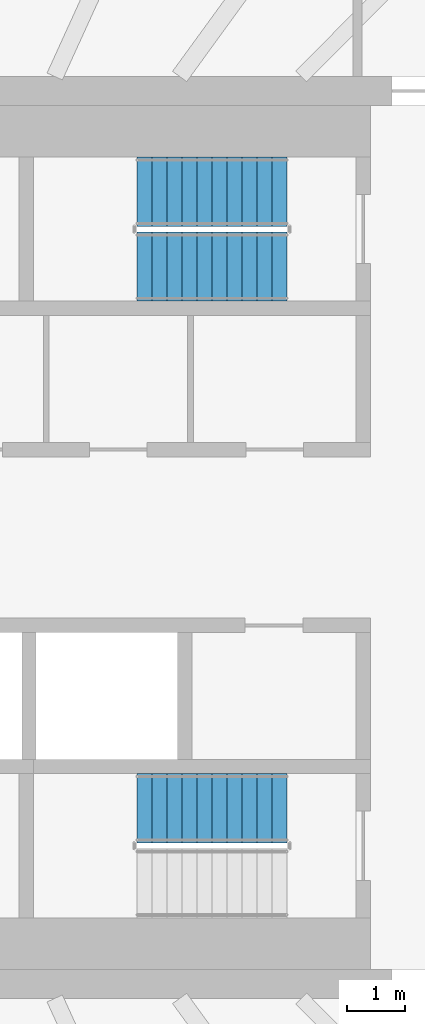
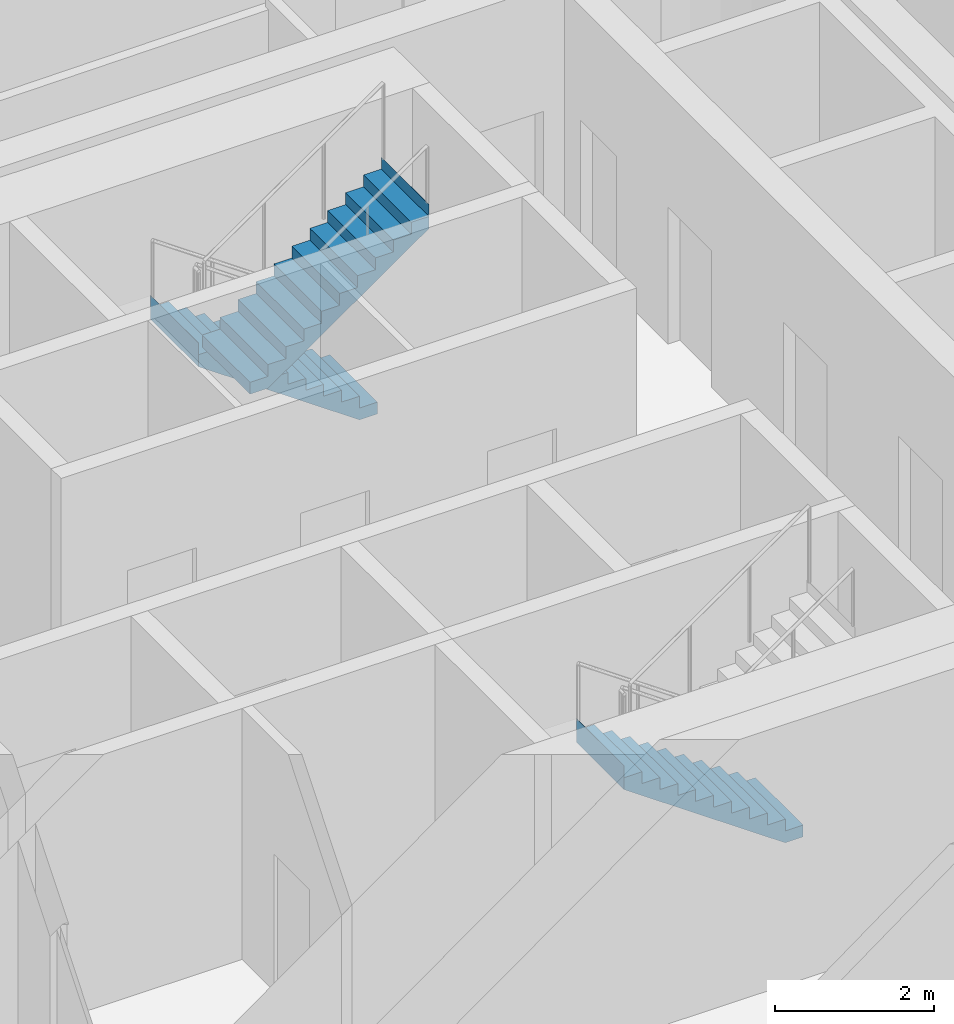
# One storey, part 17 of 23: 3 stair flights, 2 elements without a shape of their own.
"""IFC4 building model written with IfcOpenShell, lengths in metres."""

import ifcopenshell
import ifcopenshell.guid

model = None  # the IFC model being written
_history = None  # IfcOwnerHistory: only IFC2X3 demands one
_inside = {}  # id of a spatial element -> (the spatial element, [elements in it])
_under = {}  # id of a project, library or spatial element -> (it, [spatial elements below it])
_declared = {}  # id of a project -> (the project, [libraries it declares])
_typed = {}  # id of a type object -> (the type object, [elements of that type])
_made_of = {}  # id of a material, layer set ... -> (it, [elements and type objects made of it])


def new_model(schema):
    """Start an empty IFC model of exactly this schema.

    Asked for "IFC4X3", IfcOpenShell would pick the latest addendum, in which some entities
    have other attributes; the version numbers below select the first issue.
    IFC2X3 requires an IfcOwnerHistory on every rooted entity: one is made here for all.
    """
    global model, _history
    if schema == "IFC4X3":
        model = ifcopenshell.file(schema_version=(4, 3, 0, 0))
    else:
        model = ifcopenshell.file(schema=schema)
    _inside.clear()
    _under.clear()
    _declared.clear()
    _typed.clear()
    _made_of.clear()
    _history = None
    if model.schema == "IFC2X3":
        org = make("IfcOrganization", Name="unknown")
        user = make(
            "IfcPersonAndOrganization",
            ThePerson=make("IfcPerson", FamilyName="unknown"),
            TheOrganization=org,
        )
        app = make(
            "IfcApplication",
            ApplicationDeveloper=org,
            Version="unknown",
            ApplicationFullName="unknown",
            ApplicationIdentifier="unknown",
        )
        _history = make(
            "IfcOwnerHistory",
            OwningUser=user,
            OwningApplication=app,
            ChangeAction="ADDED",
            CreationDate=0,
        )
    return model


def make(cls, **values):
    """One entity of the class cls with the attributes given. An attribute that is None is left unset."""
    return model.create_entity(
        cls, **{name: value for name, value in values.items() if value is not None}
    )


def rooted(cls, **values):
    """An entity with a GlobalId (a new one), such as an element, a storey or a relation."""
    return make(cls, GlobalId=ifcopenshell.guid.new(), OwnerHistory=_history, **values)


def si_unit(unit_type, name, prefix=None):
    """IfcSIUnit, for example si_unit("LENGTHUNIT", "METRE", prefix="MILLI")."""
    return make("IfcSIUnit", UnitType=unit_type, Prefix=prefix, Name=name)


def assignment(units):
    """IfcUnitAssignment: the units of a project."""
    return None if units is None else make("IfcUnitAssignment", Units=units)


def point(xyz):
    """IfcCartesianPoint."""
    return None if xyz is None else make("IfcCartesianPoint", Coordinates=xyz)


def direction(xyz):
    """IfcDirection."""
    return None if xyz is None else make("IfcDirection", DirectionRatios=xyz)


def frame(location, z_axis=None, x_axis=None):
    """IfcAxis2Placement3D, a coordinate frame: its origin and axes. An axis left out is left unset."""
    return make(
        "IfcAxis2Placement3D",
        Location=point(location),
        Axis=direction(z_axis),
        RefDirection=direction(x_axis),
    )


def origin():
    """The frame at (0, 0, 0) with its axes left unset."""
    return frame((0.0, 0.0, 0.0))


def place(relative_to, where):
    """IfcLocalPlacement: puts the frame where relative to a parent placement (None: the world)."""
    return make(
        "IfcLocalPlacement", PlacementRelTo=relative_to, RelativePlacement=where
    )


def context(
    kind, dimensions, precision=None, world=None, true_north=None, identifier=None
):
    """IfcGeometricRepresentationContext, for example the 3D "Model" context."""
    return make(
        "IfcGeometricRepresentationContext",
        ContextIdentifier=identifier,
        ContextType=kind,
        CoordinateSpaceDimension=dimensions,
        Precision=precision,
        WorldCoordinateSystem=world,
        TrueNorth=true_north,
    )


def subcontext(parent, identifier, kind, view, scale=None):
    """IfcGeometricRepresentationSubContext, for example "Body" below "Model"."""
    return make(
        "IfcGeometricRepresentationSubContext",
        ContextIdentifier=identifier,
        ContextType=kind,
        ParentContext=parent,
        TargetScale=scale,
        TargetView=view,
    )


def project(units=None, contexts=None):
    """IfcProject with its units and contexts."""
    return rooted(
        "IfcProject",
        Name="project",
        RepresentationContexts=contexts,
        UnitsInContext=assignment(units),
    )


def spatial(cls, under=None, at=None, **own):
    """A site, building, storey or space (cls), placed at a placement, below another one or the project."""
    s = rooted(cls, ObjectPlacement=at, **own)
    if under is not None:
        _under.setdefault(under.id(), (under, []))[1].append(s)
    return s


def point_list(points):
    """IfcCartesianPointList2D or 3D."""
    cls = (
        "IfcCartesianPointList2D" if len(points[0]) == 2 else "IfcCartesianPointList3D"
    )
    return make(cls, CoordList=points)


def triangles(points, corners, closed=None, point_numbers=None):
    """IfcTriangulatedFaceSet: each triangle names its three corners, points numbered from 1."""
    return make(
        "IfcTriangulatedFaceSet",
        Coordinates=point_list(points),
        Closed=closed,
        CoordIndex=corners,
        PnIndex=point_numbers,
    )


def shape(context_of_items, identifier, shape_type, items):
    """IfcShapeRepresentation: the items that make up one representation, for example the "Body"."""
    return make(
        "IfcShapeRepresentation",
        ContextOfItems=context_of_items,
        RepresentationIdentifier=identifier,
        RepresentationType=shape_type,
        Items=items,
    )


def material(Name=None, Category=None):
    """IfcMaterial."""
    return make("IfcMaterial", Name=Name, Category=Category)


def made_of(thing, what):
    """Note that an element or type object is made of a material, layer set ...; save() writes the relation."""
    if what is not None:
        _made_of.setdefault(what.id(), (what, []))[1].append(thing)
    return thing


def type_object(cls, material=None, **own):
    """A type object (cls), such as IfcWallType, which elements share."""
    return made_of(rooted(cls, **own), material)


def element(
    cls,
    number,
    at=None,
    inside=None,
    cuts=None,
    type_object=None,
    material=None,
    context=None,
    identifier="Body",
    shape_type=None,
    held_by="IfcProductDefinitionShape",
    body=None,
    shapes=None,
    **own,
):
    """One element of the class cls, such as IfcWall. Its Tag is "e" and its number.

    at: its placement. inside: the storey or other place that contains it. cuts: it is an
    opening in that element (IfcRelVoidsElement). A single representation is given by context,
    identifier, shape_type and body (its items); several are given by shapes. held_by: the class
    of the entity that holds the representations. save() writes the other relations.
    """
    e = rooted(cls, Tag="e%d" % number, ObjectPlacement=at, **own)
    if body is not None:
        shapes = [shape(context, identifier, shape_type, body)]
    if shapes is not None:
        e.Representation = make(held_by, Representations=shapes)
    if inside is not None:
        _inside.setdefault(inside.id(), (inside, []))[1].append(e)
    if cuts is not None:
        rooted(
            "IfcRelVoidsElement", RelatingBuildingElement=cuts, RelatedOpeningElement=e
        )
    if type_object is not None:
        _typed.setdefault(type_object.id(), (type_object, []))[1].append(e)
    return made_of(e, material)


def aggregate(whole, parts):
    """IfcRelAggregates: a whole, such as a stair, and the parts it consists of."""
    return rooted("IfcRelAggregates", RelatingObject=whole, RelatedObjects=parts)


def save(model, path):
    """Write the relations noted so far, then the file.

    IfcRelAggregates (storeys below a building ...), IfcRelContainedInSpatialStructure (elements
    in a storey), IfcRelDefinesByType, IfcRelAssociatesMaterial and IfcRelDeclares: one each for
    every whole, place, type object, material and project.
    """
    for whole, parts in _under.values():
        aggregate(whole, parts)
    for where, things in _inside.values():
        rooted(
            "IfcRelContainedInSpatialStructure",
            RelatedElements=things,
            RelatingStructure=where,
        )
    for kind, things in _typed.values():
        rooted("IfcRelDefinesByType", RelatedObjects=things, RelatingType=kind)
    for what, things in _made_of.values():
        rooted("IfcRelAssociatesMaterial", RelatedObjects=things, RelatingMaterial=what)
    for by, libraries in _declared.values():
        rooted("IfcRelDeclares", RelatingContext=by, RelatedDefinitions=libraries)
    model.write(path)


model = new_model("IFC4")

# Units and contexts
model_context = context("Model", 3, precision=1e-05, world=origin(), true_north=direction((0.0, 1.0)))
body_context = subcontext(model_context, "Body", "Model", "MODEL_VIEW")
ifc_project = project(units=[si_unit("LENGTHUNIT", "METRE"), si_unit("AREAUNIT", "SQUARE_METRE"), si_unit("VOLUMEUNIT", "CUBIC_METRE"), si_unit("PLANEANGLEUNIT", "RADIAN"), si_unit("MASSUNIT", "GRAM", prefix="KILO")], contexts=[model_context])

# Site, building, storey
site_placement = place(None, origin())
site = spatial("IfcSite", under=ifc_project, at=site_placement, CompositionType="ELEMENT")
building_placement = place(site_placement, origin())
building = spatial("IfcBuilding", under=site, at=building_placement, Name="Sahrelin Media Tower", CompositionType="ELEMENT")
storey_placement = place(building_placement, frame((0.0, 0.0, 169.60009765625)))
storey = spatial("IfcBuildingStorey", under=building, at=storey_placement, Name="L35", CompositionType="ELEMENT", Elevation=169.60009765625)

# Stair, stair flights
ifc_material = material(Name="Concrete C40/50", Category="concrete")
stair_type = type_object("IfcStairType", Name="Exit stair 1200", PredefinedType="HALF_TURN_STAIR", material=ifc_material)
placement = place(storey_placement, origin())
stair_1 = element("IfcStair", 1, at=placement, inside=storey, type_object=stair_type, Name="L35 Exit stair ST3", PredefinedType="HALF_TURN_STAIR")
stair_flight_type = type_object("IfcStairFlightType", Name="Stair flight 1200", PredefinedType="STRAIGHT", material=ifc_material)
stair_flight_1_placement = place(storey_placement, frame((7.675048828125, 6.0, 0.0), z_axis=(0.0, 0.0, 1.0), x_axis=(-1.0, 0.0, 0.0)))
stair_flight_1 = element("IfcStairFlight", 2, at=stair_flight_1_placement, type_object=stair_flight_type, Name="ST3 flight 1", NumberOfRisers=11, NumberOfTreads=10, PredefinedType="STRAIGHT", RiserHeight=0.181818182, TreadLength=0.26, context=body_context, shape_type="Tessellation", body=[
    triangles([(0.261474609375, 0.60009765625, 0.0), (0.261474609375, 0.300048828125, 0.0), (0.261474609375, 0.0, 0.0), (0.261474609375, -0.300048828125, 0.0), (0.261474609375, -0.60009765625, 0.0), (2.60009765625, 0.60009765625, 1.63525390625), (2.60009765625, 0.300048828125, 1.63525390625), (2.60009765625, 0.0, 1.63525390625), (2.60009765625, -0.300048828125, 1.63525390625), (2.60009765625, -0.60009765625, 1.63525390625), (2.60009765625, 0.60009765625, 2.0), (2.60009765625, 0.300048828125, 2.0), (2.60009765625, 0.0, 2.0), (2.60009765625, -0.300048828125, 2.0), (2.60009765625, -0.60009765625, 2.0), (2.597900390625, 0.60009765625, 2.0), (2.597900390625, 0.300048828125, 2.0), (2.597900390625, 0.0, 2.0), (2.597900390625, -0.300048828125, 2.0), (2.597900390625, -0.60009765625, 2.0), (2.597900390625, 0.60009765625, 1.818115234375), (2.597900390625, 0.300048828125, 1.818115234375), (2.597900390625, 0.0, 1.818115234375), (2.597900390625, -0.300048828125, 1.818115234375), (2.597900390625, -0.60009765625, 1.818115234375), (2.340087890625, 0.60009765625, 1.818115234375), (2.340087890625, 0.300048828125, 1.818115234375), (2.340087890625, 0.0, 1.818115234375), (2.340087890625, -0.300048828125, 1.818115234375), (2.340087890625, -0.60009765625, 1.818115234375), (2.340087890625, 0.60009765625, 1.636474609375), (2.340087890625, 0.300048828125, 1.636474609375), (2.340087890625, 0.0, 1.636474609375), (2.340087890625, -0.300048828125, 1.636474609375), (2.340087890625, -0.60009765625, 1.636474609375), (2.080078125, 0.60009765625, 1.636474609375), (2.080078125, 0.300048828125, 1.636474609375), (2.080078125, 0.0, 1.636474609375), (2.080078125, -0.300048828125, 1.636474609375), (2.080078125, -0.60009765625, 1.636474609375), (2.080078125, 0.60009765625, 1.45458984375), (2.080078125, 0.300048828125, 1.45458984375), (2.080078125, 0.0, 1.45458984375), (2.080078125, -0.300048828125, 1.45458984375), (2.080078125, -0.60009765625, 1.45458984375), (1.820068359375, 0.60009765625, 1.45458984375), (1.820068359375, 0.300048828125, 1.45458984375), (1.820068359375, 0.0, 1.45458984375), (1.820068359375, -0.300048828125, 1.45458984375), (1.820068359375, -0.60009765625, 1.45458984375), (1.820068359375, 0.60009765625, 1.272705078125), (1.820068359375, 0.300048828125, 1.272705078125), (1.820068359375, 0.0, 1.272705078125), (1.820068359375, -0.300048828125, 1.272705078125), (1.820068359375, -0.60009765625, 1.272705078125), (1.56005859375, 0.60009765625, 1.272705078125), (1.56005859375, 0.300048828125, 1.272705078125), (1.56005859375, 0.0, 1.272705078125), (1.56005859375, -0.300048828125, 1.272705078125), (1.56005859375, -0.60009765625, 1.272705078125), (1.56005859375, 0.60009765625, 1.0908203125), (1.56005859375, 0.300048828125, 1.0908203125), (1.56005859375, 0.0, 1.0908203125), (1.56005859375, -0.300048828125, 1.0908203125), (1.56005859375, -0.60009765625, 1.0908203125), (1.300048828125, 0.60009765625, 1.0908203125), (1.300048828125, 0.300048828125, 1.0908203125), (1.300048828125, 0.0, 1.0908203125), (1.300048828125, -0.300048828125, 1.0908203125), (1.300048828125, -0.60009765625, 1.0908203125), (1.300048828125, 0.60009765625, 0.9091796875), (1.300048828125, 0.300048828125, 0.9091796875), (1.300048828125, 0.0, 0.9091796875), (1.300048828125, -0.300048828125, 0.9091796875), (1.300048828125, -0.60009765625, 0.9091796875), (1.0400390625, 0.60009765625, 0.9091796875), (1.0400390625, 0.300048828125, 0.9091796875), (1.0400390625, 0.0, 0.9091796875), (1.0400390625, -0.300048828125, 0.9091796875), (1.0400390625, -0.60009765625, 0.9091796875), (1.0400390625, 0.60009765625, 0.727294921875), (1.0400390625, 0.300048828125, 0.727294921875), (1.0400390625, 0.0, 0.727294921875), (1.0400390625, -0.300048828125, 0.727294921875), (1.0400390625, -0.60009765625, 0.727294921875), (0.780029296875, 0.60009765625, 0.727294921875), (0.780029296875, 0.300048828125, 0.727294921875), (0.780029296875, 0.0, 0.727294921875), (0.780029296875, -0.300048828125, 0.727294921875), (0.780029296875, -0.60009765625, 0.727294921875), (0.780029296875, 0.60009765625, 0.54541015625), (0.780029296875, 0.300048828125, 0.54541015625), (0.780029296875, 0.0, 0.54541015625), (0.780029296875, -0.300048828125, 0.54541015625), (0.780029296875, -0.60009765625, 0.54541015625), (0.52001953125, 0.60009765625, 0.54541015625), (0.52001953125, 0.300048828125, 0.54541015625), (0.52001953125, 0.0, 0.54541015625), (0.52001953125, -0.300048828125, 0.54541015625), (0.52001953125, -0.60009765625, 0.54541015625), (0.52001953125, 0.60009765625, 0.363525390625), (0.52001953125, 0.300048828125, 0.363525390625), (0.52001953125, 0.0, 0.363525390625), (0.52001953125, -0.300048828125, 0.363525390625), (0.52001953125, -0.60009765625, 0.363525390625), (0.260009765625, 0.60009765625, 0.363525390625), (0.260009765625, 0.300048828125, 0.363525390625), (0.260009765625, 0.0, 0.363525390625), (0.260009765625, -0.300048828125, 0.363525390625), (0.260009765625, -0.60009765625, 0.363525390625), (0.260009765625, 0.60009765625, 0.181884765625), (0.260009765625, 0.300048828125, 0.181884765625), (0.260009765625, 0.0, 0.181884765625), (0.260009765625, -0.300048828125, 0.181884765625), (0.260009765625, -0.60009765625, 0.181884765625), (0.0, 0.60009765625, 0.181884765625), (0.0, 0.300048828125, 0.181884765625), (0.0, 0.0, 0.181884765625), (0.0, -0.300048828125, 0.181884765625), (0.0, -0.60009765625, 0.181884765625), (0.0, 0.60009765625, 0.0), (0.0, 0.300048828125, 0.0), (0.0, 0.0, 0.0), (0.0, -0.300048828125, 0.0), (0.0, -0.60009765625, 0.0)], [[1, 6, 7], [1, 7, 2], [2, 7, 8], [2, 8, 3], [3, 8, 9], [3, 9, 4], [4, 9, 10], [4, 10, 5], [6, 11, 12], [6, 12, 7], [7, 12, 13], [7, 13, 8], [8, 13, 14], [8, 14, 9], [9, 14, 15], [9, 15, 10], [11, 16, 17], [11, 17, 12], [12, 17, 18], [12, 18, 13], [13, 18, 19], [13, 19, 14], [14, 19, 20], [14, 20, 15], [16, 21, 22], [16, 22, 17], [17, 22, 23], [17, 23, 18], [18, 23, 24], [18, 24, 19], [19, 24, 25], [19, 25, 20], [21, 26, 27], [21, 27, 22], [22, 27, 28], [22, 28, 23], [23, 28, 29], [23, 29, 24], [24, 29, 30], [24, 30, 25], [26, 31, 32], [26, 32, 27], [27, 32, 33], [27, 33, 28], [28, 33, 34], [28, 34, 29], [29, 34, 35], [29, 35, 30], [31, 36, 37], [31, 37, 32], [32, 37, 38], [32, 38, 33], [33, 38, 39], [33, 39, 34], [34, 39, 40], [34, 40, 35], [36, 41, 42], [36, 42, 37], [37, 42, 43], [37, 43, 38], [38, 43, 44], [38, 44, 39], [39, 44, 45], [39, 45, 40], [41, 46, 47], [41, 47, 42], [42, 47, 48], [42, 48, 43], [43, 48, 49], [43, 49, 44], [44, 49, 50], [44, 50, 45], [46, 51, 52], [46, 52, 47], [47, 52, 53], [47, 53, 48], [48, 53, 54], [48, 54, 49], [49, 54, 55], [49, 55, 50], [51, 56, 57], [51, 57, 52], [52, 57, 58], [52, 58, 53], [53, 58, 59], [53, 59, 54], [54, 59, 60], [54, 60, 55], [56, 61, 62], [56, 62, 57], [57, 62, 63], [57, 63, 58], [58, 63, 64], [58, 64, 59], [59, 64, 65], [59, 65, 60], [61, 66, 67], [61, 67, 62], [62, 67, 68], [62, 68, 63], [63, 68, 69], [63, 69, 64], [64, 69, 70], [64, 70, 65], [66, 71, 72], [66, 72, 67], [67, 72, 73], [67, 73, 68], [68, 73, 74], [68, 74, 69], [69, 74, 75], [69, 75, 70], [71, 76, 77], [71, 77, 72], [72, 77, 78], [72, 78, 73], [73, 78, 79], [73, 79, 74], [74, 79, 80], [74, 80, 75], [76, 81, 82], [76, 82, 77], [77, 82, 83], [77, 83, 78], [78, 83, 84], [78, 84, 79], [79, 84, 85], [79, 85, 80], [81, 86, 87], [81, 87, 82], [82, 87, 88], [82, 88, 83], [83, 88, 89], [83, 89, 84], [84, 89, 90], [84, 90, 85], [86, 91, 92], [86, 92, 87], [87, 92, 93], [87, 93, 88], [88, 93, 94], [88, 94, 89], [89, 94, 95], [89, 95, 90], [91, 96, 97], [91, 97, 92], [92, 97, 98], [92, 98, 93], [93, 98, 99], [93, 99, 94], [94, 99, 100], [94, 100, 95], [96, 101, 102], [96, 102, 97], [97, 102, 103], [97, 103, 98], [98, 103, 104], [98, 104, 99], [99, 104, 105], [99, 105, 100], [101, 106, 107], [101, 107, 102], [102, 107, 108], [102, 108, 103], [103, 108, 109], [103, 109, 104], [104, 109, 110], [104, 110, 105], [106, 111, 112], [106, 112, 107], [107, 112, 113], [107, 113, 108], [108, 113, 114], [108, 114, 109], [109, 114, 115], [109, 115, 110], [111, 116, 117], [111, 117, 112], [112, 117, 118], [112, 118, 113], [113, 118, 119], [113, 119, 114], [114, 119, 120], [114, 120, 115], [116, 121, 122], [116, 122, 117], [117, 122, 123], [117, 123, 118], [118, 123, 124], [118, 124, 119], [119, 124, 125], [119, 125, 120], [121, 1, 2], [121, 2, 122], [122, 2, 3], [122, 3, 123], [123, 3, 4], [123, 4, 124], [124, 4, 5], [124, 5, 125], [115, 120, 125], [111, 121, 116], [115, 105, 110], [111, 106, 101], [105, 95, 100], [101, 96, 91], [95, 85, 90], [91, 86, 81], [85, 75, 80], [81, 76, 71], [75, 65, 70], [71, 66, 61], [65, 55, 60], [61, 56, 51], [55, 45, 50], [51, 46, 41], [45, 35, 40], [41, 36, 31], [35, 25, 30], [31, 26, 21], [25, 15, 20], [21, 16, 11], [125, 5, 115], [121, 111, 1], [25, 10, 15], [21, 11, 6], [105, 115, 5], [101, 1, 111], [35, 10, 25], [31, 21, 6], [95, 105, 5], [91, 1, 101], [45, 10, 35], [41, 31, 6], [85, 95, 5], [81, 1, 91], [55, 10, 45], [51, 41, 6], [75, 85, 5], [71, 1, 81], [65, 10, 55], [61, 51, 6], [5, 10, 75], [1, 71, 6], [75, 10, 65], [71, 61, 6]], closed=True),
])
stair_flight_2_placement = place(storey_placement, frame((5.074951171875, 4.699951171875, 2.0), z_axis=(0.0, 0.0, 1.0), x_axis=(1.0, 0.0, 0.0)))
stair_flight_2 = element("IfcStairFlight", 3, at=stair_flight_2_placement, type_object=stair_flight_type, Name="ST3 flight 2", NumberOfRisers=11, NumberOfTreads=10, PredefinedType="STRAIGHT", RiserHeight=0.181818182, TreadLength=0.26, context=body_context, shape_type="Tessellation", body=[
    triangles([(0.261474609375, 0.60009765625, 0.0), (0.261474609375, 0.300048828125, 0.0), (0.261474609375, 0.0, 0.0), (0.261474609375, -0.300048828125, 0.0), (0.261474609375, -0.60009765625, 0.0), (2.60009765625, 0.60009765625, 1.63525390625), (2.60009765625, 0.300048828125, 1.63525390625), (2.60009765625, 0.0, 1.63525390625), (2.60009765625, -0.300048828125, 1.63525390625), (2.60009765625, -0.60009765625, 1.63525390625), (2.60009765625, 0.60009765625, 2.0), (2.60009765625, 0.300048828125, 2.0), (2.60009765625, 0.0, 2.0), (2.60009765625, -0.300048828125, 2.0), (2.60009765625, -0.60009765625, 2.0), (2.597900390625, 0.60009765625, 2.0), (2.597900390625, 0.300048828125, 2.0), (2.597900390625, 0.0, 2.0), (2.597900390625, -0.300048828125, 2.0), (2.597900390625, -0.60009765625, 2.0), (2.597900390625, 0.60009765625, 1.818115234375), (2.597900390625, 0.300048828125, 1.818115234375), (2.597900390625, 0.0, 1.818115234375), (2.597900390625, -0.300048828125, 1.818115234375), (2.597900390625, -0.60009765625, 1.818115234375), (2.340087890625, 0.60009765625, 1.818115234375), (2.340087890625, 0.300048828125, 1.818115234375), (2.340087890625, 0.0, 1.818115234375), (2.340087890625, -0.300048828125, 1.818115234375), (2.340087890625, -0.60009765625, 1.818115234375), (2.340087890625, 0.60009765625, 1.636474609375), (2.340087890625, 0.300048828125, 1.636474609375), (2.340087890625, 0.0, 1.636474609375), (2.340087890625, -0.300048828125, 1.636474609375), (2.340087890625, -0.60009765625, 1.636474609375), (2.080078125, 0.60009765625, 1.636474609375), (2.080078125, 0.300048828125, 1.636474609375), (2.080078125, 0.0, 1.636474609375), (2.080078125, -0.300048828125, 1.636474609375), (2.080078125, -0.60009765625, 1.636474609375), (2.080078125, 0.60009765625, 1.45458984375), (2.080078125, 0.300048828125, 1.45458984375), (2.080078125, 0.0, 1.45458984375), (2.080078125, -0.300048828125, 1.45458984375), (2.080078125, -0.60009765625, 1.45458984375), (1.820068359375, 0.60009765625, 1.45458984375), (1.820068359375, 0.300048828125, 1.45458984375), (1.820068359375, 0.0, 1.45458984375), (1.820068359375, -0.300048828125, 1.45458984375), (1.820068359375, -0.60009765625, 1.45458984375), (1.820068359375, 0.60009765625, 1.272705078125), (1.820068359375, 0.300048828125, 1.272705078125), (1.820068359375, 0.0, 1.272705078125), (1.820068359375, -0.300048828125, 1.272705078125), (1.820068359375, -0.60009765625, 1.272705078125), (1.56005859375, 0.60009765625, 1.272705078125), (1.56005859375, 0.300048828125, 1.272705078125), (1.56005859375, 0.0, 1.272705078125), (1.56005859375, -0.300048828125, 1.272705078125), (1.56005859375, -0.60009765625, 1.272705078125), (1.56005859375, 0.60009765625, 1.0908203125), (1.56005859375, 0.300048828125, 1.0908203125), (1.56005859375, 0.0, 1.0908203125), (1.56005859375, -0.300048828125, 1.0908203125), (1.56005859375, -0.60009765625, 1.0908203125), (1.300048828125, 0.60009765625, 1.0908203125), (1.300048828125, 0.300048828125, 1.0908203125), (1.300048828125, 0.0, 1.0908203125), (1.300048828125, -0.300048828125, 1.0908203125), (1.300048828125, -0.60009765625, 1.0908203125), (1.300048828125, 0.60009765625, 0.9091796875), (1.300048828125, 0.300048828125, 0.9091796875), (1.300048828125, 0.0, 0.9091796875), (1.300048828125, -0.300048828125, 0.9091796875), (1.300048828125, -0.60009765625, 0.9091796875), (1.0400390625, 0.60009765625, 0.9091796875), (1.0400390625, 0.300048828125, 0.9091796875), (1.0400390625, 0.0, 0.9091796875), (1.0400390625, -0.300048828125, 0.9091796875), (1.0400390625, -0.60009765625, 0.9091796875), (1.0400390625, 0.60009765625, 0.727294921875), (1.0400390625, 0.300048828125, 0.727294921875), (1.0400390625, 0.0, 0.727294921875), (1.0400390625, -0.300048828125, 0.727294921875), (1.0400390625, -0.60009765625, 0.727294921875), (0.780029296875, 0.60009765625, 0.727294921875), (0.780029296875, 0.300048828125, 0.727294921875), (0.780029296875, 0.0, 0.727294921875), (0.780029296875, -0.300048828125, 0.727294921875), (0.780029296875, -0.60009765625, 0.727294921875), (0.780029296875, 0.60009765625, 0.54541015625), (0.780029296875, 0.300048828125, 0.54541015625), (0.780029296875, 0.0, 0.54541015625), (0.780029296875, -0.300048828125, 0.54541015625), (0.780029296875, -0.60009765625, 0.54541015625), (0.52001953125, 0.60009765625, 0.54541015625), (0.52001953125, 0.300048828125, 0.54541015625), (0.52001953125, 0.0, 0.54541015625), (0.52001953125, -0.300048828125, 0.54541015625), (0.52001953125, -0.60009765625, 0.54541015625), (0.52001953125, 0.60009765625, 0.363525390625), (0.52001953125, 0.300048828125, 0.363525390625), (0.52001953125, 0.0, 0.363525390625), (0.52001953125, -0.300048828125, 0.363525390625), (0.52001953125, -0.60009765625, 0.363525390625), (0.260009765625, 0.60009765625, 0.363525390625), (0.260009765625, 0.300048828125, 0.363525390625), (0.260009765625, 0.0, 0.363525390625), (0.260009765625, -0.300048828125, 0.363525390625), (0.260009765625, -0.60009765625, 0.363525390625), (0.260009765625, 0.60009765625, 0.181884765625), (0.260009765625, 0.300048828125, 0.181884765625), (0.260009765625, 0.0, 0.181884765625), (0.260009765625, -0.300048828125, 0.181884765625), (0.260009765625, -0.60009765625, 0.181884765625), (0.0, 0.60009765625, 0.181884765625), (0.0, 0.300048828125, 0.181884765625), (0.0, 0.0, 0.181884765625), (0.0, -0.300048828125, 0.181884765625), (0.0, -0.60009765625, 0.181884765625), (0.0, 0.60009765625, 0.0), (0.0, 0.300048828125, 0.0), (0.0, 0.0, 0.0), (0.0, -0.300048828125, 0.0), (0.0, -0.60009765625, 0.0)], [[1, 6, 7], [1, 7, 2], [2, 7, 8], [2, 8, 3], [3, 8, 9], [3, 9, 4], [4, 9, 10], [4, 10, 5], [6, 11, 12], [6, 12, 7], [7, 12, 13], [7, 13, 8], [8, 13, 14], [8, 14, 9], [9, 14, 15], [9, 15, 10], [11, 16, 17], [11, 17, 12], [12, 17, 18], [12, 18, 13], [13, 18, 19], [13, 19, 14], [14, 19, 20], [14, 20, 15], [16, 21, 22], [16, 22, 17], [17, 22, 23], [17, 23, 18], [18, 23, 24], [18, 24, 19], [19, 24, 25], [19, 25, 20], [21, 26, 27], [21, 27, 22], [22, 27, 28], [22, 28, 23], [23, 28, 29], [23, 29, 24], [24, 29, 30], [24, 30, 25], [26, 31, 32], [26, 32, 27], [27, 32, 33], [27, 33, 28], [28, 33, 34], [28, 34, 29], [29, 34, 35], [29, 35, 30], [31, 36, 37], [31, 37, 32], [32, 37, 38], [32, 38, 33], [33, 38, 39], [33, 39, 34], [34, 39, 40], [34, 40, 35], [36, 41, 42], [36, 42, 37], [37, 42, 43], [37, 43, 38], [38, 43, 44], [38, 44, 39], [39, 44, 45], [39, 45, 40], [41, 46, 47], [41, 47, 42], [42, 47, 48], [42, 48, 43], [43, 48, 49], [43, 49, 44], [44, 49, 50], [44, 50, 45], [46, 51, 52], [46, 52, 47], [47, 52, 53], [47, 53, 48], [48, 53, 54], [48, 54, 49], [49, 54, 55], [49, 55, 50], [51, 56, 57], [51, 57, 52], [52, 57, 58], [52, 58, 53], [53, 58, 59], [53, 59, 54], [54, 59, 60], [54, 60, 55], [56, 61, 62], [56, 62, 57], [57, 62, 63], [57, 63, 58], [58, 63, 64], [58, 64, 59], [59, 64, 65], [59, 65, 60], [61, 66, 67], [61, 67, 62], [62, 67, 68], [62, 68, 63], [63, 68, 69], [63, 69, 64], [64, 69, 70], [64, 70, 65], [66, 71, 72], [66, 72, 67], [67, 72, 73], [67, 73, 68], [68, 73, 74], [68, 74, 69], [69, 74, 75], [69, 75, 70], [71, 76, 77], [71, 77, 72], [72, 77, 78], [72, 78, 73], [73, 78, 79], [73, 79, 74], [74, 79, 80], [74, 80, 75], [76, 81, 82], [76, 82, 77], [77, 82, 83], [77, 83, 78], [78, 83, 84], [78, 84, 79], [79, 84, 85], [79, 85, 80], [81, 86, 87], [81, 87, 82], [82, 87, 88], [82, 88, 83], [83, 88, 89], [83, 89, 84], [84, 89, 90], [84, 90, 85], [86, 91, 92], [86, 92, 87], [87, 92, 93], [87, 93, 88], [88, 93, 94], [88, 94, 89], [89, 94, 95], [89, 95, 90], [91, 96, 97], [91, 97, 92], [92, 97, 98], [92, 98, 93], [93, 98, 99], [93, 99, 94], [94, 99, 100], [94, 100, 95], [96, 101, 102], [96, 102, 97], [97, 102, 103], [97, 103, 98], [98, 103, 104], [98, 104, 99], [99, 104, 105], [99, 105, 100], [101, 106, 107], [101, 107, 102], [102, 107, 108], [102, 108, 103], [103, 108, 109], [103, 109, 104], [104, 109, 110], [104, 110, 105], [106, 111, 112], [106, 112, 107], [107, 112, 113], [107, 113, 108], [108, 113, 114], [108, 114, 109], [109, 114, 115], [109, 115, 110], [111, 116, 117], [111, 117, 112], [112, 117, 118], [112, 118, 113], [113, 118, 119], [113, 119, 114], [114, 119, 120], [114, 120, 115], [116, 121, 122], [116, 122, 117], [117, 122, 123], [117, 123, 118], [118, 123, 124], [118, 124, 119], [119, 124, 125], [119, 125, 120], [121, 1, 2], [121, 2, 122], [122, 2, 3], [122, 3, 123], [123, 3, 4], [123, 4, 124], [124, 4, 5], [124, 5, 125], [115, 120, 125], [111, 121, 116], [115, 105, 110], [111, 106, 101], [105, 95, 100], [101, 96, 91], [95, 85, 90], [91, 86, 81], [85, 75, 80], [81, 76, 71], [75, 65, 70], [71, 66, 61], [65, 55, 60], [61, 56, 51], [55, 45, 50], [51, 46, 41], [45, 35, 40], [41, 36, 31], [35, 25, 30], [31, 26, 21], [25, 15, 20], [21, 16, 11], [125, 5, 115], [121, 111, 1], [25, 10, 15], [21, 11, 6], [105, 115, 5], [101, 1, 111], [35, 10, 25], [31, 21, 6], [95, 105, 5], [91, 1, 101], [45, 10, 35], [41, 31, 6], [85, 95, 5], [81, 1, 91], [55, 10, 45], [51, 41, 6], [75, 85, 5], [71, 1, 81], [65, 10, 55], [61, 51, 6], [5, 10, 75], [1, 71, 6], [75, 10, 65], [71, 61, 6]], closed=True),
])
aggregate(stair_1, [stair_flight_1, stair_flight_2])

# Stair, stair flight
stair_2 = element("IfcStair", 4, at=placement, inside=storey, type_object=stair_type, Name="L35 Exit stair ST2", PredefinedType="HALF_TURN_STAIR")
stair_flight_3_placement = place(storey_placement, frame((7.675048828125, -4.699951171875, 0.0), z_axis=(0.0, 0.0, 1.0), x_axis=(-1.0, 0.0, 0.0)))
stair_flight_3 = element("IfcStairFlight", 5, at=stair_flight_3_placement, type_object=stair_flight_type, Name="ST2 flight 1", NumberOfRisers=11, NumberOfTreads=10, PredefinedType="STRAIGHT", RiserHeight=0.181818182, TreadLength=0.26, context=body_context, shape_type="Tessellation", body=[
    triangles([(0.261474609375, 0.60009765625, 0.0), (0.261474609375, 0.300048828125, 0.0), (0.261474609375, 0.0, 0.0), (0.261474609375, -0.300048828125, 0.0), (0.261474609375, -0.60009765625, 0.0), (2.60009765625, 0.60009765625, 1.63525390625), (2.60009765625, 0.300048828125, 1.63525390625), (2.60009765625, 0.0, 1.63525390625), (2.60009765625, -0.300048828125, 1.63525390625), (2.60009765625, -0.60009765625, 1.63525390625), (2.60009765625, 0.60009765625, 2.0), (2.60009765625, 0.300048828125, 2.0), (2.60009765625, 0.0, 2.0), (2.60009765625, -0.300048828125, 2.0), (2.60009765625, -0.60009765625, 2.0), (2.597900390625, 0.60009765625, 2.0), (2.597900390625, 0.300048828125, 2.0), (2.597900390625, 0.0, 2.0), (2.597900390625, -0.300048828125, 2.0), (2.597900390625, -0.60009765625, 2.0), (2.597900390625, 0.60009765625, 1.818115234375), (2.597900390625, 0.300048828125, 1.818115234375), (2.597900390625, 0.0, 1.818115234375), (2.597900390625, -0.300048828125, 1.818115234375), (2.597900390625, -0.60009765625, 1.818115234375), (2.340087890625, 0.60009765625, 1.818115234375), (2.340087890625, 0.300048828125, 1.818115234375), (2.340087890625, 0.0, 1.818115234375), (2.340087890625, -0.300048828125, 1.818115234375), (2.340087890625, -0.60009765625, 1.818115234375), (2.340087890625, 0.60009765625, 1.636474609375), (2.340087890625, 0.300048828125, 1.636474609375), (2.340087890625, 0.0, 1.636474609375), (2.340087890625, -0.300048828125, 1.636474609375), (2.340087890625, -0.60009765625, 1.636474609375), (2.080078125, 0.60009765625, 1.636474609375), (2.080078125, 0.300048828125, 1.636474609375), (2.080078125, 0.0, 1.636474609375), (2.080078125, -0.300048828125, 1.636474609375), (2.080078125, -0.60009765625, 1.636474609375), (2.080078125, 0.60009765625, 1.45458984375), (2.080078125, 0.300048828125, 1.45458984375), (2.080078125, 0.0, 1.45458984375), (2.080078125, -0.300048828125, 1.45458984375), (2.080078125, -0.60009765625, 1.45458984375), (1.820068359375, 0.60009765625, 1.45458984375), (1.820068359375, 0.300048828125, 1.45458984375), (1.820068359375, 0.0, 1.45458984375), (1.820068359375, -0.300048828125, 1.45458984375), (1.820068359375, -0.60009765625, 1.45458984375), (1.820068359375, 0.60009765625, 1.272705078125), (1.820068359375, 0.300048828125, 1.272705078125), (1.820068359375, 0.0, 1.272705078125), (1.820068359375, -0.300048828125, 1.272705078125), (1.820068359375, -0.60009765625, 1.272705078125), (1.56005859375, 0.60009765625, 1.272705078125), (1.56005859375, 0.300048828125, 1.272705078125), (1.56005859375, 0.0, 1.272705078125), (1.56005859375, -0.300048828125, 1.272705078125), (1.56005859375, -0.60009765625, 1.272705078125), (1.56005859375, 0.60009765625, 1.0908203125), (1.56005859375, 0.300048828125, 1.0908203125), (1.56005859375, 0.0, 1.0908203125), (1.56005859375, -0.300048828125, 1.0908203125), (1.56005859375, -0.60009765625, 1.0908203125), (1.300048828125, 0.60009765625, 1.0908203125), (1.300048828125, 0.300048828125, 1.0908203125), (1.300048828125, 0.0, 1.0908203125), (1.300048828125, -0.300048828125, 1.0908203125), (1.300048828125, -0.60009765625, 1.0908203125), (1.300048828125, 0.60009765625, 0.9091796875), (1.300048828125, 0.300048828125, 0.9091796875), (1.300048828125, 0.0, 0.9091796875), (1.300048828125, -0.300048828125, 0.9091796875), (1.300048828125, -0.60009765625, 0.9091796875), (1.0400390625, 0.60009765625, 0.9091796875), (1.0400390625, 0.300048828125, 0.9091796875), (1.0400390625, 0.0, 0.9091796875), (1.0400390625, -0.300048828125, 0.9091796875), (1.0400390625, -0.60009765625, 0.9091796875), (1.0400390625, 0.60009765625, 0.727294921875), (1.0400390625, 0.300048828125, 0.727294921875), (1.0400390625, 0.0, 0.727294921875), (1.0400390625, -0.300048828125, 0.727294921875), (1.0400390625, -0.60009765625, 0.727294921875), (0.780029296875, 0.60009765625, 0.727294921875), (0.780029296875, 0.300048828125, 0.727294921875), (0.780029296875, 0.0, 0.727294921875), (0.780029296875, -0.300048828125, 0.727294921875), (0.780029296875, -0.60009765625, 0.727294921875), (0.780029296875, 0.60009765625, 0.54541015625), (0.780029296875, 0.300048828125, 0.54541015625), (0.780029296875, 0.0, 0.54541015625), (0.780029296875, -0.300048828125, 0.54541015625), (0.780029296875, -0.60009765625, 0.54541015625), (0.52001953125, 0.60009765625, 0.54541015625), (0.52001953125, 0.300048828125, 0.54541015625), (0.52001953125, 0.0, 0.54541015625), (0.52001953125, -0.300048828125, 0.54541015625), (0.52001953125, -0.60009765625, 0.54541015625), (0.52001953125, 0.60009765625, 0.363525390625), (0.52001953125, 0.300048828125, 0.363525390625), (0.52001953125, 0.0, 0.363525390625), (0.52001953125, -0.300048828125, 0.363525390625), (0.52001953125, -0.60009765625, 0.363525390625), (0.260009765625, 0.60009765625, 0.363525390625), (0.260009765625, 0.300048828125, 0.363525390625), (0.260009765625, 0.0, 0.363525390625), (0.260009765625, -0.300048828125, 0.363525390625), (0.260009765625, -0.60009765625, 0.363525390625), (0.260009765625, 0.60009765625, 0.181884765625), (0.260009765625, 0.300048828125, 0.181884765625), (0.260009765625, 0.0, 0.181884765625), (0.260009765625, -0.300048828125, 0.181884765625), (0.260009765625, -0.60009765625, 0.181884765625), (0.0, 0.60009765625, 0.181884765625), (0.0, 0.300048828125, 0.181884765625), (0.0, 0.0, 0.181884765625), (0.0, -0.300048828125, 0.181884765625), (0.0, -0.60009765625, 0.181884765625), (0.0, 0.60009765625, 0.0), (0.0, 0.300048828125, 0.0), (0.0, 0.0, 0.0), (0.0, -0.300048828125, 0.0), (0.0, -0.60009765625, 0.0)], [[1, 6, 7], [1, 7, 2], [2, 7, 8], [2, 8, 3], [3, 8, 9], [3, 9, 4], [4, 9, 10], [4, 10, 5], [6, 11, 12], [6, 12, 7], [7, 12, 13], [7, 13, 8], [8, 13, 14], [8, 14, 9], [9, 14, 15], [9, 15, 10], [11, 16, 17], [11, 17, 12], [12, 17, 18], [12, 18, 13], [13, 18, 19], [13, 19, 14], [14, 19, 20], [14, 20, 15], [16, 21, 22], [16, 22, 17], [17, 22, 23], [17, 23, 18], [18, 23, 24], [18, 24, 19], [19, 24, 25], [19, 25, 20], [21, 26, 27], [21, 27, 22], [22, 27, 28], [22, 28, 23], [23, 28, 29], [23, 29, 24], [24, 29, 30], [24, 30, 25], [26, 31, 32], [26, 32, 27], [27, 32, 33], [27, 33, 28], [28, 33, 34], [28, 34, 29], [29, 34, 35], [29, 35, 30], [31, 36, 37], [31, 37, 32], [32, 37, 38], [32, 38, 33], [33, 38, 39], [33, 39, 34], [34, 39, 40], [34, 40, 35], [36, 41, 42], [36, 42, 37], [37, 42, 43], [37, 43, 38], [38, 43, 44], [38, 44, 39], [39, 44, 45], [39, 45, 40], [41, 46, 47], [41, 47, 42], [42, 47, 48], [42, 48, 43], [43, 48, 49], [43, 49, 44], [44, 49, 50], [44, 50, 45], [46, 51, 52], [46, 52, 47], [47, 52, 53], [47, 53, 48], [48, 53, 54], [48, 54, 49], [49, 54, 55], [49, 55, 50], [51, 56, 57], [51, 57, 52], [52, 57, 58], [52, 58, 53], [53, 58, 59], [53, 59, 54], [54, 59, 60], [54, 60, 55], [56, 61, 62], [56, 62, 57], [57, 62, 63], [57, 63, 58], [58, 63, 64], [58, 64, 59], [59, 64, 65], [59, 65, 60], [61, 66, 67], [61, 67, 62], [62, 67, 68], [62, 68, 63], [63, 68, 69], [63, 69, 64], [64, 69, 70], [64, 70, 65], [66, 71, 72], [66, 72, 67], [67, 72, 73], [67, 73, 68], [68, 73, 74], [68, 74, 69], [69, 74, 75], [69, 75, 70], [71, 76, 77], [71, 77, 72], [72, 77, 78], [72, 78, 73], [73, 78, 79], [73, 79, 74], [74, 79, 80], [74, 80, 75], [76, 81, 82], [76, 82, 77], [77, 82, 83], [77, 83, 78], [78, 83, 84], [78, 84, 79], [79, 84, 85], [79, 85, 80], [81, 86, 87], [81, 87, 82], [82, 87, 88], [82, 88, 83], [83, 88, 89], [83, 89, 84], [84, 89, 90], [84, 90, 85], [86, 91, 92], [86, 92, 87], [87, 92, 93], [87, 93, 88], [88, 93, 94], [88, 94, 89], [89, 94, 95], [89, 95, 90], [91, 96, 97], [91, 97, 92], [92, 97, 98], [92, 98, 93], [93, 98, 99], [93, 99, 94], [94, 99, 100], [94, 100, 95], [96, 101, 102], [96, 102, 97], [97, 102, 103], [97, 103, 98], [98, 103, 104], [98, 104, 99], [99, 104, 105], [99, 105, 100], [101, 106, 107], [101, 107, 102], [102, 107, 108], [102, 108, 103], [103, 108, 109], [103, 109, 104], [104, 109, 110], [104, 110, 105], [106, 111, 112], [106, 112, 107], [107, 112, 113], [107, 113, 108], [108, 113, 114], [108, 114, 109], [109, 114, 115], [109, 115, 110], [111, 116, 117], [111, 117, 112], [112, 117, 118], [112, 118, 113], [113, 118, 119], [113, 119, 114], [114, 119, 120], [114, 120, 115], [116, 121, 122], [116, 122, 117], [117, 122, 123], [117, 123, 118], [118, 123, 124], [118, 124, 119], [119, 124, 125], [119, 125, 120], [121, 1, 2], [121, 2, 122], [122, 2, 3], [122, 3, 123], [123, 3, 4], [123, 4, 124], [124, 4, 5], [124, 5, 125], [115, 120, 125], [111, 121, 116], [115, 105, 110], [111, 106, 101], [105, 95, 100], [101, 96, 91], [95, 85, 90], [91, 86, 81], [85, 75, 80], [81, 76, 71], [75, 65, 70], [71, 66, 61], [65, 55, 60], [61, 56, 51], [55, 45, 50], [51, 46, 41], [45, 35, 40], [41, 36, 31], [35, 25, 30], [31, 26, 21], [25, 15, 20], [21, 16, 11], [125, 5, 115], [121, 111, 1], [25, 10, 15], [21, 11, 6], [105, 115, 5], [101, 1, 111], [35, 10, 25], [31, 21, 6], [95, 105, 5], [91, 1, 101], [45, 10, 35], [41, 31, 6], [85, 95, 5], [81, 1, 91], [55, 10, 45], [51, 41, 6], [75, 85, 5], [71, 1, 81], [65, 10, 55], [61, 51, 6], [5, 10, 75], [1, 71, 6], [75, 10, 65], [71, 61, 6]], closed=True),
])
aggregate(stair_2, [stair_flight_3])

save(model, "model.ifc")
